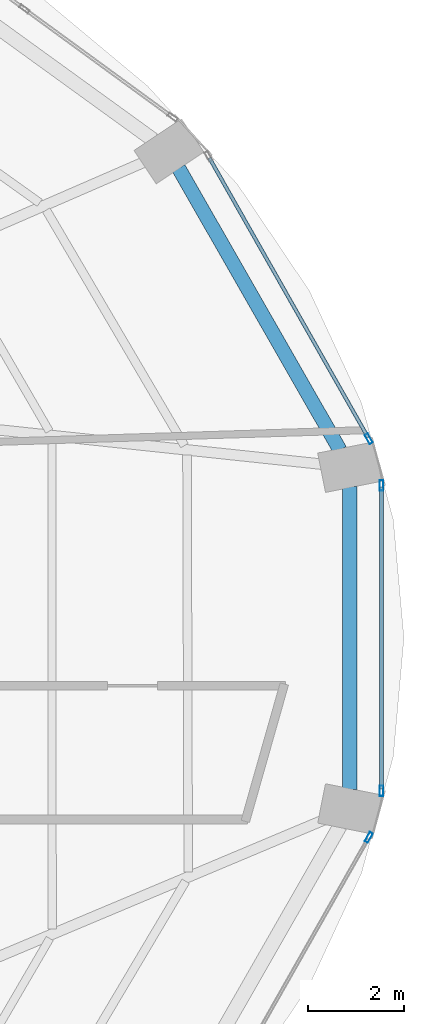
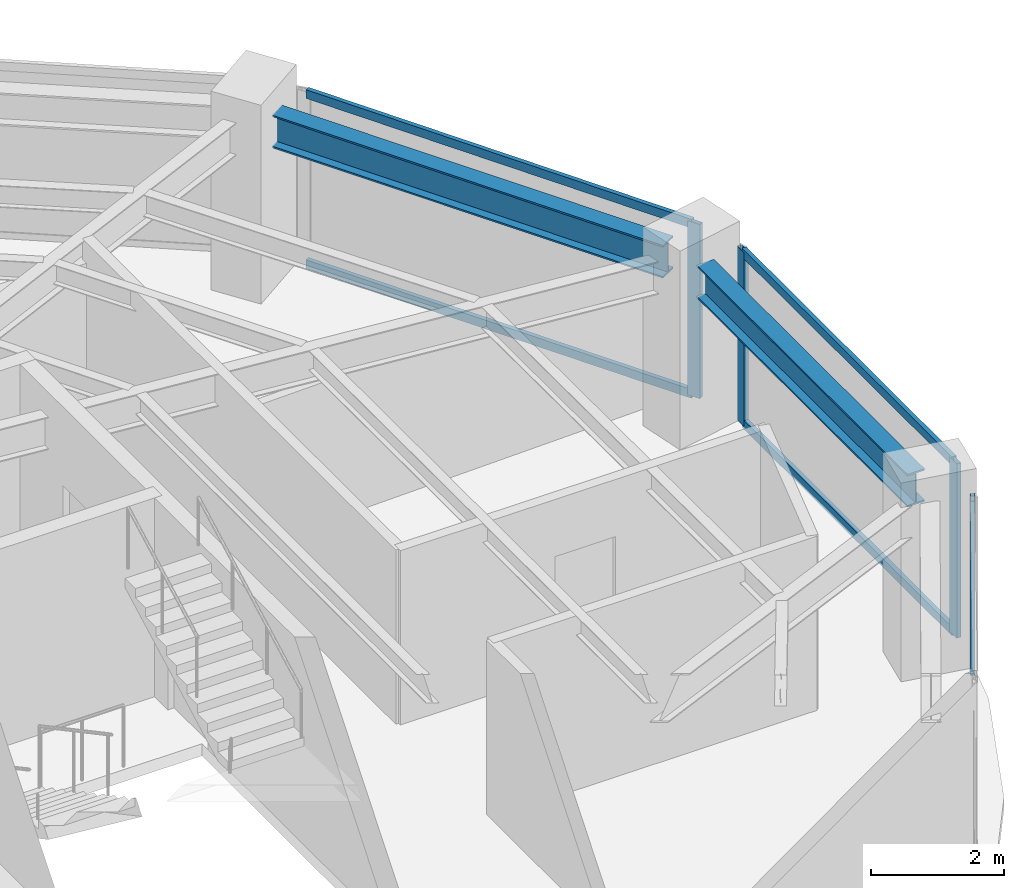
# One storey, part 13 of 24: 8 members, 2 beams, 3 elements without a shape of their own.
"""IFC4 building model written with IfcOpenShell, lengths in metres."""

from ifc_helpers import new_model, si_unit, direction, frame, origin, origin_2d, place, context, subcontext, project, spatial, hollow_rectangle, i_section, extrude, material, layer, layer_set, material_profile, profile_set, type_object, element, aggregate, save


model = new_model("IFC4")

# Units and contexts
model_context = context("Model", 3, precision=1e-05, world=origin(), true_north=direction((0.0, 1.0)))
body_context = subcontext(model_context, "Body", "Model", "MODEL_VIEW")
ifc_project = project(units=[si_unit("LENGTHUNIT", "METRE"), si_unit("AREAUNIT", "SQUARE_METRE"), si_unit("VOLUMEUNIT", "CUBIC_METRE"), si_unit("PLANEANGLEUNIT", "RADIAN"), si_unit("MASSUNIT", "GRAM", prefix="KILO")], contexts=[model_context])

# Site, building, storey
site_placement = place(None, origin())
site = spatial("IfcSite", under=ifc_project, at=site_placement, CompositionType="ELEMENT")
building_placement = place(site_placement, origin())
building = spatial("IfcBuilding", under=site, at=building_placement, Name="Lazwardi Medical Tower", CompositionType="ELEMENT")
storey_placement = place(building_placement, frame((0.0, 0.0, 129.16796875)))
storey = spatial("IfcBuildingStorey", under=building, at=storey_placement, Name="L33", CompositionType="ELEMENT", Elevation=129.16796875)

# Beams
ifc_material_1 = material(Name="Steel S355", Category="steel")
ifc_material_profile_1 = material_profile(ifc_material_1, i_section(OverallWidth=0.300048828125, OverallDepth=0.60009765625, WebThickness=0.015380859375, FlangeThickness=0.030029296875, at=origin_2d()), Name="HEB 600")
ifc_profile_set_1 = profile_set([ifc_material_profile_1], Name="Steel S355")
beam_type = type_object("IfcBeamType", Name="BM-RB-Z2", PredefinedType="BEAM", material=ifc_profile_set_1)
beam_1_placement = place(storey_placement, frame((60.86279296875, 27.22998046875, 2.89794921875), z_axis=(0.0, 1.0, 0.0), x_axis=(-1.0, 0.0, 0.0)))
element("IfcBeam", 1, at=beam_1_placement, inside=storey, type_object=beam_type, Name="Ring beam RB-03 B04 L33", PredefinedType="BEAM", context=body_context, shape_type="SweptSolid", body=[
    extrude(i_section(OverallWidth=0.300048828125, OverallDepth=0.60009765625, WebThickness=0.015380859375, FlangeThickness=0.030029296875, at=origin_2d()), origin(), (0.0, 0.0, 1.0), 6.33984375),
])
beam_2_placement = place(storey_placement, frame((60.6591796875, 34.335693359375, 2.89794921875), z_axis=(-0.496637551254, 0.867958030486, 0.0), x_axis=(-0.867958030486, -0.496637551254, 0.0)))
element("IfcBeam", 2, at=beam_2_placement, inside=storey, type_object=beam_type, Name="Ring beam RB-03 B05 L33", PredefinedType="BEAM", context=body_context, shape_type="SweptSolid", body=[
    extrude(i_section(OverallWidth=0.300048828125, OverallDepth=0.60009765625, WebThickness=0.015380859375, FlangeThickness=0.030029296875, at=origin_2d()), origin(), (0.0, 0.0, 1.0), 6.801025390625),
])

# Curtain wall, member
ifc_material_2 = material(Name="Anodised bronze aluminium and solar control glazing", Category="aluminium")
ifc_layer = layer(ifc_material_2, 0.195068359375)
ifc_layer_set = layer_set([ifc_layer], Name="Anodised bronze aluminium and solar control glazing")
curtain_wall_type = type_object("IfcCurtainWallType", Name="CW-SYS-03", PredefinedType="NOTDEFINED", material=ifc_layer_set)
curtain_wall_1_placement = place(storey_placement, origin())
curtain_wall_1 = element("IfcCurtainWall", 3, at=curtain_wall_1_placement, inside=storey, type_object=curtain_wall_type, Name="L33 Unitised bronze curtain wall CW-03", PredefinedType="NOTDEFINED")
ifc_material_3 = material(Name="Anodised bronze aluminium", Category="aluminium")
ifc_material_profile_2 = material_profile(ifc_material_3, hollow_rectangle(XDim=0.074951171875, YDim=0.219970703125, WallThickness=0.00390625, at=origin_2d()), Name="ALU-MULLION 220x75x4")
ifc_profile_set_2 = profile_set([ifc_material_profile_2], Name="Anodised bronze aluminium")
member_type_1 = type_object("IfcMemberType", Name="CW-MUL-01", PredefinedType="MULLION", material=ifc_profile_set_2)
member_1_placement = place(storey_placement, frame((61.2626953125, 26.22607421875, 0.0), z_axis=(0.0, 0.0, 1.0), x_axis=(-0.869687265712, 0.493603140041, 0.0)))
member_1 = element("IfcMember", 4, at=member_1_placement, type_object=member_type_1, Name="CW-03 mullion 2", PredefinedType="MULLION", context=body_context, shape_type="SweptSolid", body=[
    extrude(hollow_rectangle(XDim=0.074951171875, YDim=0.219970703125, WallThickness=0.00390625, at=origin_2d()), origin(), (0.0, 0.0, 1.0), 3.197998046875),
])
aggregate(curtain_wall_1, [member_1])

# Curtain wall, members
curtain_wall_2_placement = place(storey_placement, origin())
curtain_wall_2 = element("IfcCurtainWall", 5, at=curtain_wall_2_placement, inside=storey, type_object=curtain_wall_type, Name="L33 Unitised bronze curtain wall CW-03", PredefinedType="NOTDEFINED")
member_2_placement = place(storey_placement, frame((61.528076171875, 27.20263671875, 0.0), z_axis=(0.0, 0.0, 1.0), x_axis=(-1.0, 0.0, 0.0)))
member_2 = element("IfcMember", 6, at=member_2_placement, type_object=member_type_1, Name="CW-03 mullion 1", PredefinedType="MULLION", context=body_context, shape_type="SweptSolid", body=[
    extrude(hollow_rectangle(XDim=0.074951171875, YDim=0.219970703125, WallThickness=0.00390625, at=origin_2d()), origin(), (0.0, 0.0, 1.0), 3.197998046875),
])
member_3_placement = place(storey_placement, frame((61.528076171875, 33.597412109375, 0.0), z_axis=(0.0, 0.0, 1.0), x_axis=(-1.0, 0.0, 0.0)))
member_3 = element("IfcMember", 7, at=member_3_placement, type_object=member_type_1, Name="CW-03 mullion 2", PredefinedType="MULLION", context=body_context, shape_type="SweptSolid", body=[
    extrude(hollow_rectangle(XDim=0.074951171875, YDim=0.219970703125, WallThickness=0.00390625, at=origin_2d()), origin(), (0.0, 0.0, 1.0), 3.197998046875),
])

# Curtain wall, member
curtain_wall_3_placement = place(storey_placement, origin())
curtain_wall_3 = element("IfcCurtainWall", 8, at=curtain_wall_3_placement, inside=storey, type_object=curtain_wall_type, Name="L33 Unitised bronze curtain wall CW-03", PredefinedType="NOTDEFINED")
member_4_placement = place(storey_placement, frame((61.2626953125, 34.57373046875, 0.0), z_axis=(0.0, 0.0, 1.0), x_axis=(-0.869687265712, -0.493603140041, 0.0)))
member_4 = element("IfcMember", 9, at=member_4_placement, type_object=member_type_1, Name="CW-03 mullion 1", PredefinedType="MULLION", context=body_context, shape_type="SweptSolid", body=[
    extrude(hollow_rectangle(XDim=0.074951171875, YDim=0.219970703125, WallThickness=0.00390625, at=origin_2d()), origin(), (0.0, 0.0, 1.0), 3.197998046875),
])

# Member
ifc_material_profile_3 = material_profile(ifc_material_3, hollow_rectangle(XDim=0.074951171875, YDim=0.159912109375, WallThickness=0.00390625, at=origin_2d()), Name="ALU-TRANSOM 160x75x4")
ifc_profile_set_3 = profile_set([ifc_material_profile_3], Name="Anodised bronze aluminium")
member_type_2 = type_object("IfcMemberType", Name="CW-TRN-01", PredefinedType="USERDEFINED", material=ifc_profile_set_3)
member_5_placement = place(storey_placement, frame((61.528076171875, 27.239990234375, 0.03759765625), z_axis=(0.0, 1.0, 0.0), x_axis=(-1.0, 0.0, 0.0)))
member_5 = element("IfcMember", 10, at=member_5_placement, type_object=member_type_2, Name="CW-03 transom 1.1", ObjectType="TRANSOM", PredefinedType="USERDEFINED", context=body_context, shape_type="SweptSolid", body=[
    extrude(hollow_rectangle(XDim=0.074951171875, YDim=0.159912109375, WallThickness=0.00390625, at=origin_2d()), origin(), (0.0, 0.0, 1.0), 6.31982421875),
])

member_6_placement = place(storey_placement, frame((61.528076171875, 27.239990234375, 3.16064453125), z_axis=(0.0, 1.0, 0.0), x_axis=(-1.0, 0.0, 0.0)))
member_6 = element("IfcMember", 11, at=member_6_placement, type_object=member_type_2, Name="CW-03 transom 1.2", ObjectType="TRANSOM", PredefinedType="USERDEFINED", context=body_context, shape_type="SweptSolid", body=[
    extrude(hollow_rectangle(XDim=0.074951171875, YDim=0.159912109375, WallThickness=0.00390625, at=origin_2d()), origin(), (0.0, 0.0, 1.0), 6.31982421875),
])

aggregate(curtain_wall_2, [member_2, member_3, member_5, member_6])

member_7_placement = place(storey_placement, frame((61.244140625, 34.6064453125, 0.03759765625), z_axis=(-0.493614427365, 0.869680859337, 0.0), x_axis=(-0.869680859337, -0.493614427365, 0.0)))
member_7 = element("IfcMember", 12, at=member_7_placement, type_object=member_type_2, Name="CW-03 transom 1.1", ObjectType="TRANSOM", PredefinedType="USERDEFINED", context=body_context, shape_type="SweptSolid", body=[
    extrude(hollow_rectangle(XDim=0.074951171875, YDim=0.159912109375, WallThickness=0.00390625, at=origin_2d()), origin(), (0.0, 0.0, 1.0), 6.72314453125),
])

member_8_placement = place(storey_placement, frame((61.244140625, 34.6064453125, 3.16064453125), z_axis=(-0.493614427365, 0.869680859337, 0.0), x_axis=(-0.869680859337, -0.493614427365, 0.0)))
member_8 = element("IfcMember", 13, at=member_8_placement, type_object=member_type_2, Name="CW-03 transom 1.2", ObjectType="TRANSOM", PredefinedType="USERDEFINED", context=body_context, shape_type="SweptSolid", body=[
    extrude(hollow_rectangle(XDim=0.074951171875, YDim=0.159912109375, WallThickness=0.00390625, at=origin_2d()), origin(), (0.0, 0.0, 1.0), 6.72314453125),
])

aggregate(curtain_wall_3, [member_4, member_7, member_8])

save(model, "model.ifc")
